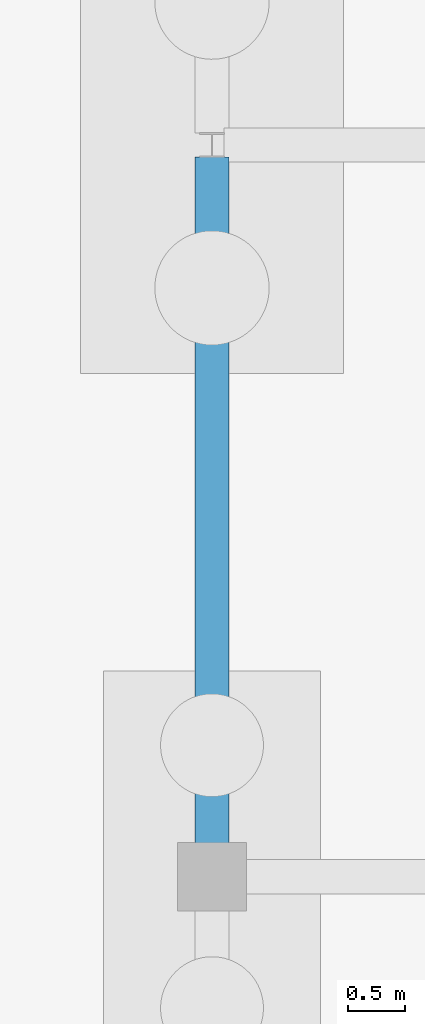
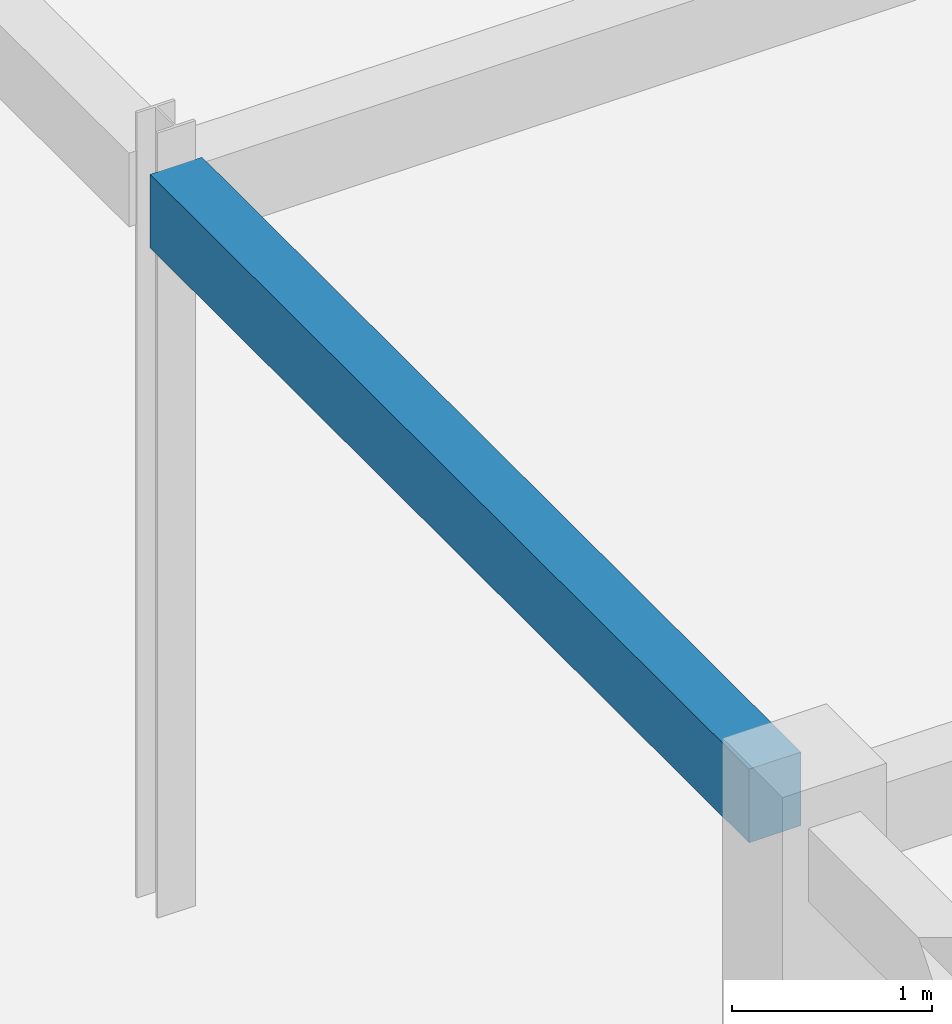
# One storey, part 70 of 192: 1 beam.
"""IFC4 building model written with IfcOpenShell, lengths in metres."""

from ifc_helpers import new_model, si_unit, direction, frame, origin, origin_2d, place, context, subcontext, project, spatial, rectangle, extrude, material, material_profile, profile_set, type_object, element, save


model = new_model("IFC4")

# Units and contexts
model_context = context("Model", 3, precision=1e-05, world=origin(), true_north=direction((0.0, 1.0)))
body_context = subcontext(model_context, "Body", "Model", "MODEL_VIEW")
ifc_project = project(units=[si_unit("LENGTHUNIT", "METRE"), si_unit("AREAUNIT", "SQUARE_METRE"), si_unit("VOLUMEUNIT", "CUBIC_METRE"), si_unit("PLANEANGLEUNIT", "RADIAN"), si_unit("MASSUNIT", "GRAM", prefix="KILO")], contexts=[model_context])

# Site, building, storey
site_placement = place(None, origin())
site = spatial("IfcSite", under=ifc_project, at=site_placement, CompositionType="ELEMENT")
building_placement = place(site_placement, origin())
building = spatial("IfcBuilding", under=site, at=building_placement, Name="Trelvath General Hospital", CompositionType="ELEMENT")
storey_placement = place(building_placement, origin())
storey = spatial("IfcBuildingStorey", under=building, at=storey_placement, Name="L00", CompositionType="ELEMENT", Elevation=0.0)

# Beam
ifc_material = material(Name="Concrete C35/45", Category="concrete")
ifc_material_profile = material_profile(ifc_material, rectangle(XDim=0.300048828125, YDim=0.449951171875, at=origin_2d()), Name="RCB300x450")
ifc_profile_set = profile_set([ifc_material_profile], Name="Concrete C35/45")
beam_type = type_object("IfcBeamType", Name="Beam RC300x450", PredefinedType="BEAM", material=ifc_profile_set)
beam_placement = place(storey_placement, frame((107.199951171875, 38.696044921875, 4.3349609375), z_axis=(0.0, 1.0, 0.0), x_axis=(-1.0, 0.0, 0.0)))
element("IfcBeam", 1, at=beam_placement, inside=storey, type_object=beam_type, Name="Cube Interior Ring Beam CUBE-E-T0 L00", PredefinedType="BEAM", context=body_context, shape_type="SweptSolid", body=[
    extrude(rectangle(XDim=0.300048828125, YDim=0.449951171875, at=origin_2d()), origin(), (0.0, 0.0, 1.0), 5.998046875),
])

save(model, "model.ifc")
